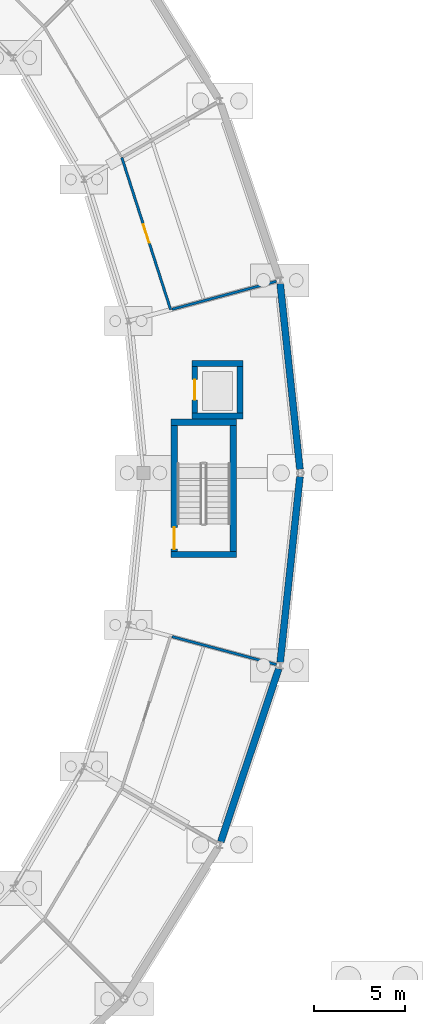
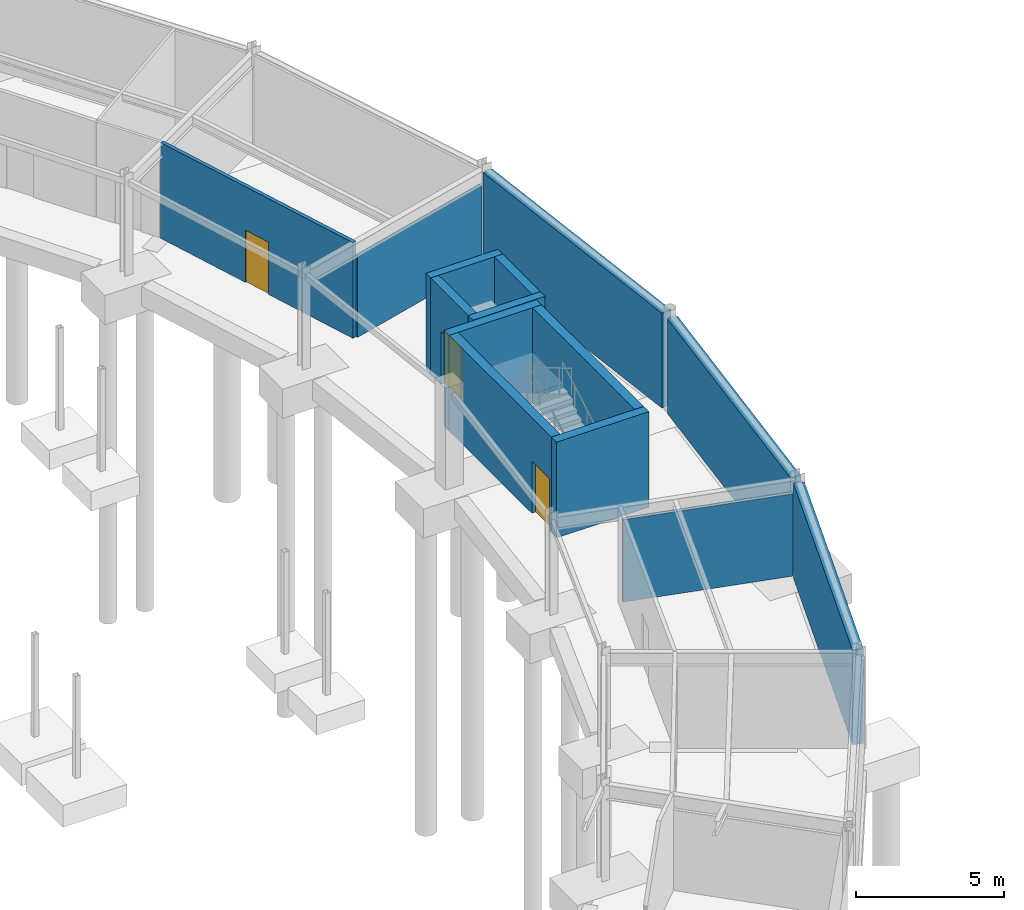
# One storey, part 44 of 58: 14 walls, 3 doors, 3 openings.
"""IFC4 building model written with IfcOpenShell, lengths in metres."""

from ifc_helpers import new_model, si_unit, direction, frame, frame_2d, origin, place, context, subcontext, project, spatial, rectangle, extrude, material, layer, layer_set, type_object, element, fill, save


model = new_model("IFC4")

# Units and contexts
model_context = context("Model", 3, precision=1e-05, world=origin(), true_north=direction((0.0, 1.0)))
body_context = subcontext(model_context, "Body", "Model", "MODEL_VIEW")
ifc_project = project(units=[si_unit("LENGTHUNIT", "METRE"), si_unit("AREAUNIT", "SQUARE_METRE"), si_unit("VOLUMEUNIT", "CUBIC_METRE"), si_unit("PLANEANGLEUNIT", "RADIAN"), si_unit("MASSUNIT", "GRAM", prefix="KILO")], contexts=[model_context])

# Site, building, storey
site_placement = place(None, origin())
site = spatial("IfcSite", under=ifc_project, at=site_placement, CompositionType="ELEMENT")
building_placement = place(site_placement, origin())
building = spatial("IfcBuilding", under=site, at=building_placement, Name="Karori Crest Natural Sciences Institute", CompositionType="ELEMENT")
storey_placement = place(building_placement, frame((0.0, 0.0, -4.199951171875)))
storey = spatial("IfcBuildingStorey", under=building, at=storey_placement, Name="B1", CompositionType="ELEMENT", Elevation=-4.199951171875)

# Walls
ifc_material_1 = material(Name="Concrete 50 MPa", Category="concrete")
ifc_layer_1 = layer(ifc_material_1, 0.35009765625, Name="Concrete 50 MPa")
ifc_layer_set_1 = layer_set([ifc_layer_1], Name="Concrete 50 MPa")
wall_type_1 = type_object("IfcWallType", Name="IWT-02", PredefinedType="SHEAR", material=ifc_layer_set_1)
for number, where, z_axis, x_axis, name in (
    (1, (92.300048828125, 45.425048828125, 0.0), (0.0, 0.0, 1.0), (1.0, 0.0, 0.0), "Shear wall IW-0001"),
    (2, (92.300048828125, 52.675048828125, 0.0), (0.0, 0.0, 1.0), (1.0, 0.0, 0.0), "Shear wall IW-0002"),
):
    element("IfcWall", number, at=place(storey_placement, frame(where, z_axis=z_axis, x_axis=x_axis)), inside=storey, type_object=wall_type_1, Name=name, PredefinedType="SHEAR", context=body_context, shape_type="SweptSolid", body=[
        extrude(rectangle(XDim=3.599853515625, YDim=0.35009765625, at=frame_2d((1.7998046875, 0.0))), origin(), (0.0, 0.0, 1.0), 3.93994140625),
    ])

# Wall, opening, door
wall_1_placement = place(storey_placement, frame((92.47509765625, 45.60205078125, 0.0), z_axis=(0.0, 0.0, 1.0), x_axis=(0.0, 1.0, 0.0)))
wall_1 = element("IfcWall", 3, at=wall_1_placement, inside=storey, type_object=wall_type_1, Name="Shear wall IW-0003", PredefinedType="SHEAR", context=body_context, shape_type="SweptSolid", body=[
    extrude(rectangle(XDim=6.89599609375, YDim=0.35009765625, at=frame_2d((3.447998046875, 0.0))), origin(), (0.0, 0.0, 1.0), 3.93994140625),
])
opening_1_placement = place(wall_1_placement, frame((0.1201171875, 0.0, 0.0)))
opening_1 = element("IfcOpeningElement", 4, at=opening_1_placement, cuts=wall_1, Name="Opening ID-0001", PredefinedType="OPENING", context=body_context, shape_type="SweptSolid", body=[
    extrude(rectangle(XDim=1.199951171875, YDim=2.14990234375, at=frame_2d((0.60009765625, 1.074951171875))), frame((0.0, 0.18505859375, 0.0), z_axis=(0.0, -1.0, 0.0), x_axis=(1.0, 0.0, 0.0)), (0.0, 0.0, 1.0), 0.3701171875),
])
ifc_material_2 = material(Name="Stainless steel 316 and fire-rated timber", Category="steel")
door_type_1 = type_object("IfcDoorType", Name="IDT-01", OperationType="NOTDEFINED", PredefinedType="DOOR", material=ifc_material_2)
door_1_placement = place(opening_1_placement, origin())
door_1 = element("IfcDoor", 5, at=door_1_placement, inside=storey, type_object=door_type_1, Name="Stair ST-01 fire door ID-0001", OperationType="SINGLE_SWING_LEFT", OverallHeight=2.14990234375, OverallWidth=1.199951171875, PredefinedType="DOOR", context=body_context, shape_type="SweptSolid", body=[
    extrude(rectangle(XDim=1.199951171875, YDim=2.14990234375, at=frame_2d((0.60009765625, 1.074951171875))), frame((0.0, 0.02490234375, 0.0), z_axis=(0.0, -1.0, 0.0), x_axis=(1.0, 0.0, 0.0)), (0.0, 0.0, 1.0), 0.050048828125),
])
fill(opening_1, door_1)

# Walls
wall_2_placement = place(storey_placement, frame((95.72509765625, 45.60205078125, 0.0), z_axis=(0.0, 0.0, 1.0), x_axis=(0.0, 1.0, 0.0)))
element("IfcWall", 6, at=wall_2_placement, inside=storey, type_object=wall_type_1, Name="Shear wall IW-0004", PredefinedType="SHEAR", context=body_context, shape_type="SweptSolid", body=[
    extrude(rectangle(XDim=6.89599609375, YDim=0.35009765625, at=frame_2d((3.447998046875, 0.0))), origin(), (0.0, 0.0, 1.0), 3.93994140625),
])
ifc_layer_2 = layer(ifc_material_1, 0.320068359375, Name="Concrete 50 MPa")
ifc_layer_set_2 = layer_set([ifc_layer_2], Name="Concrete 50 MPa")
wall_type_2 = type_object("IfcWallType", Name="IWT-03", PredefinedType="SHEAR", material=ifc_layer_set_2)
for number, where, z_axis, x_axis, name in (
    (7, (93.445068359375, 53.030029296875, 0.0), (0.0, 0.0, 1.0), (1.0, 0.0, 0.0), "Shear wall IW-0401"),
    (8, (93.445068359375, 55.89501953125, 0.0), (0.0, 0.0, 1.0), (1.0, 0.0, 0.0), "Shear wall IW-0402"),
):
    element("IfcWall", number, at=place(storey_placement, frame(where, z_axis=z_axis, x_axis=x_axis)), inside=storey, type_object=wall_type_2, Name=name, PredefinedType="SHEAR", context=body_context, shape_type="SweptSolid", body=[
        extrude(rectangle(XDim=2.809814453125, YDim=0.320068359375, at=frame_2d((1.40478515625, 0.0))), origin(), (0.0, 0.0, 1.0), 3.93994140625),
    ])

# Wall, opening, door
wall_3_placement = place(storey_placement, frame((93.60498046875, 53.19189453125, 0.0), z_axis=(0.0, 0.0, 1.0), x_axis=(0.0, 1.0, 0.0)))
wall_3 = element("IfcWall", 9, at=wall_3_placement, inside=storey, type_object=wall_type_2, Name="Shear wall IW-0403", PredefinedType="SHEAR", context=body_context, shape_type="SweptSolid", body=[
    extrude(rectangle(XDim=2.541015625, YDim=0.320068359375, at=frame_2d((1.2705078125, 0.0))), origin(), (0.0, 0.0, 1.0), 3.93994140625),
])
opening_2_placement = place(wall_3_placement, frame((0.720458984375, 0.0, 0.0)))
opening_2 = element("IfcOpeningElement", 10, at=opening_2_placement, cuts=wall_3, Name="Opening LD-0025", PredefinedType="OPENING", context=body_context, shape_type="SweptSolid", body=[
    extrude(rectangle(XDim=1.10009765625, YDim=2.14990234375, at=frame_2d((0.550048828125, 1.074951171875))), frame((0.0, 0.169921875, 0.0), z_axis=(0.0, -1.0, 0.0), x_axis=(1.0, 0.0, 0.0)), (0.0, 0.0, 1.0), 0.340087890625),
])
door_type_2 = type_object("IfcDoorType", Name="LDT-01", OperationType="SLIDING_TO_LEFT", PredefinedType="DOOR", material=ifc_material_2)
door_2_placement = place(opening_2_placement, origin())
door_2 = element("IfcDoor", 11, at=door_2_placement, inside=storey, type_object=door_type_2, Name="Lift LP-01 landing door LD-0025", OperationType="SLIDING_TO_LEFT", OverallHeight=2.14990234375, OverallWidth=1.10009765625, PredefinedType="DOOR", context=body_context, shape_type="SweptSolid", body=[
    extrude(rectangle(XDim=1.10009765625, YDim=2.14990234375, at=frame_2d((0.550048828125, 1.074951171875))), frame((0.0, 0.02490234375, 0.0), z_axis=(0.0, -1.0, 0.0), x_axis=(1.0, 0.0, 0.0)), (0.0, 0.0, 1.0), 0.050048828125),
])
fill(opening_2, door_2)

# Walls
wall_4_placement = place(storey_placement, frame((96.094970703125, 53.19189453125, 0.0), z_axis=(0.0, 0.0, 1.0), x_axis=(0.0, 1.0, 0.0)))
element("IfcWall", 12, at=wall_4_placement, inside=storey, type_object=wall_type_2, Name="Shear wall IW-0404", PredefinedType="SHEAR", context=body_context, shape_type="SweptSolid", body=[
    extrude(rectangle(XDim=2.541015625, YDim=0.320068359375, at=frame_2d((1.2705078125, 0.0))), origin(), (0.0, 0.0, 1.0), 3.93994140625),
])
ifc_material_3 = material(Name="Laboratory acoustic drywall partition")
ifc_layer_3 = layer(ifc_material_3, 0.139892578125, Name="Laboratory acoustic drywall partition")
ifc_layer_set_3 = layer_set([ifc_layer_3], Name="Laboratory acoustic drywall partition")
wall_type_3 = type_object("IfcWallType", Name="IWT-07", PredefinedType="PARTITIONING", material=ifc_layer_set_3)
wall_5_placement = place(storey_placement, frame((92.364013671875, 40.92431640625, 0.0), z_axis=(0.0, 0.0, 1.0), x_axis=(0.965917716543, -0.258849309192, 0.0)))
element("IfcWall", 13, at=wall_5_placement, inside=storey, type_object=wall_type_3, Name="Partition wall IW-1144", PredefinedType="PARTITIONING", context=body_context, shape_type="SweptSolid", body=[
    extrude(rectangle(XDim=5.927978515625, YDim=0.139892578125, at=frame_2d((2.9638671875, 0.0))), origin(), (0.0, 0.0, 1.0), 3.391845703125),
])

# Wall, opening, door
wall_6_placement = place(storey_placement, frame((92.286865234375, 58.85498046875, 0.0), z_axis=(0.0, 0.0, 1.0), x_axis=(-0.30548522006, 0.952196818061, 0.0)))
wall_6 = element("IfcWall", 14, at=wall_6_placement, inside=storey, type_object=wall_type_3, Name="Partition wall IW-1145", PredefinedType="PARTITIONING", context=body_context, shape_type="SweptSolid", body=[
    extrude(rectangle(XDim=8.763916015625, YDim=0.139892578125, at=frame_2d((4.3818359375, 0.0))), origin(), (0.0, 0.0, 1.0), 3.93994140625),
])
opening_3_placement = place(wall_6_placement, frame((3.85693359375, 0.0, 0.0)))
opening_3 = element("IfcOpeningElement", 15, at=opening_3_placement, cuts=wall_6, Name="Opening ID-0337", PredefinedType="OPENING", context=body_context, shape_type="SweptSolid", body=[
    extrude(rectangle(XDim=1.050048828125, YDim=2.14990234375, at=frame_2d((0.52490234375, 1.074951171875))), frame((0.0, 0.080078125, 0.0), z_axis=(0.0, -1.0, 0.0), x_axis=(1.0, 0.0, 0.0)), (0.0, 0.0, 1.0), 0.159912109375),
])
door_type_3 = type_object("IfcDoorType", Name="IDT-03", OperationType="NOTDEFINED", PredefinedType="DOOR", material=ifc_material_2)
door_3_placement = place(opening_3_placement, origin())
door_3 = element("IfcDoor", 16, at=door_3_placement, inside=storey, type_object=door_type_3, Name="Specimen Cold Store door ID-0337", OperationType="SINGLE_SWING_LEFT", OverallHeight=2.14990234375, OverallWidth=1.050048828125, PredefinedType="DOOR", context=body_context, shape_type="SweptSolid", body=[
    extrude(rectangle(XDim=1.050048828125, YDim=2.14990234375, at=frame_2d((0.52490234375, 1.074951171875))), frame((0.0, 0.02490234375, 0.0), z_axis=(0.0, -1.0, 0.0), x_axis=(1.0, 0.0, 0.0)), (0.0, 0.0, 1.0), 0.050048828125),
])
fill(opening_3, door_3)

# Walls
wall_7_placement = place(storey_placement, frame((92.364013671875, 58.875732421875, 0.0), z_axis=(0.0, 0.0, 1.0), x_axis=(0.96592653509, 0.258816399805, 0.0)))
element("IfcWall", 17, at=wall_7_placement, inside=storey, type_object=wall_type_3, Name="Partition wall IW-1146", PredefinedType="PARTITIONING", context=body_context, shape_type="SweptSolid", body=[
    extrude(rectangle(XDim=5.92578125, YDim=0.139892578125, at=frame_2d((2.962890625, 0.0))), origin(), (0.0, 0.0, 1.0), 3.322998046875),
])
ifc_material_4 = material(Name="Concrete 40 MPa", Category="concrete")
ifc_layer_4 = layer(ifc_material_4, 0.3798828125, Name="Concrete 40 MPa")
ifc_layer_set_4 = layer_set([ifc_layer_4], Name="Concrete 40 MPa")
wall_type_4 = type_object("IfcWallType", Name="WT-08", PredefinedType="USERDEFINED", material=ifc_layer_set_4)
wall_8_placement = place(storey_placement, frame((98.217529296875, 39.1669921875, 0.0), z_axis=(0.0, 0.0, 1.0), x_axis=(-0.317668467072, -0.948201848252, 0.0)))
element("IfcWall", 18, at=wall_8_placement, inside=storey, type_object=wall_type_4, Name="Exterior wall EW-0004", ObjectType="RETAININGWALL", PredefinedType="USERDEFINED", context=body_context, shape_type="SweptSolid", body=[
    extrude(rectangle(XDim=10.012451171875, YDim=0.3798828125, at=frame_2d((5.00634765625, 0.0))), origin(), (0.0, 0.0, 1.0), 3.89990234375),
])
for number, where, z_axis, x_axis, name in (
    (19, (99.378662109375, 49.699951171875, 0.0), (0.0, 0.0, 1.0), (-0.105884325246, -0.994378453944, 0.0), "Exterior wall EW-0005"),
    (20, (98.2939453125, 60.286865234375, 0.0), (0.0, 0.0, 1.0), (0.105884325246, -0.994378453944, 0.0), "Exterior wall EW-0006"),
):
    element("IfcWall", number, at=place(storey_placement, frame(where, z_axis=z_axis, x_axis=x_axis)), inside=storey, type_object=wall_type_4, Name=name, ObjectType="RETAININGWALL", PredefinedType="USERDEFINED", context=body_context, shape_type="SweptSolid", body=[
        extrude(rectangle(XDim=10.244384765625, YDim=0.3798828125, at=frame_2d((5.1220703125, 0.0))), origin(), (0.0, 0.0, 1.0), 3.89990234375),
    ])

save(model, "model.ifc")
